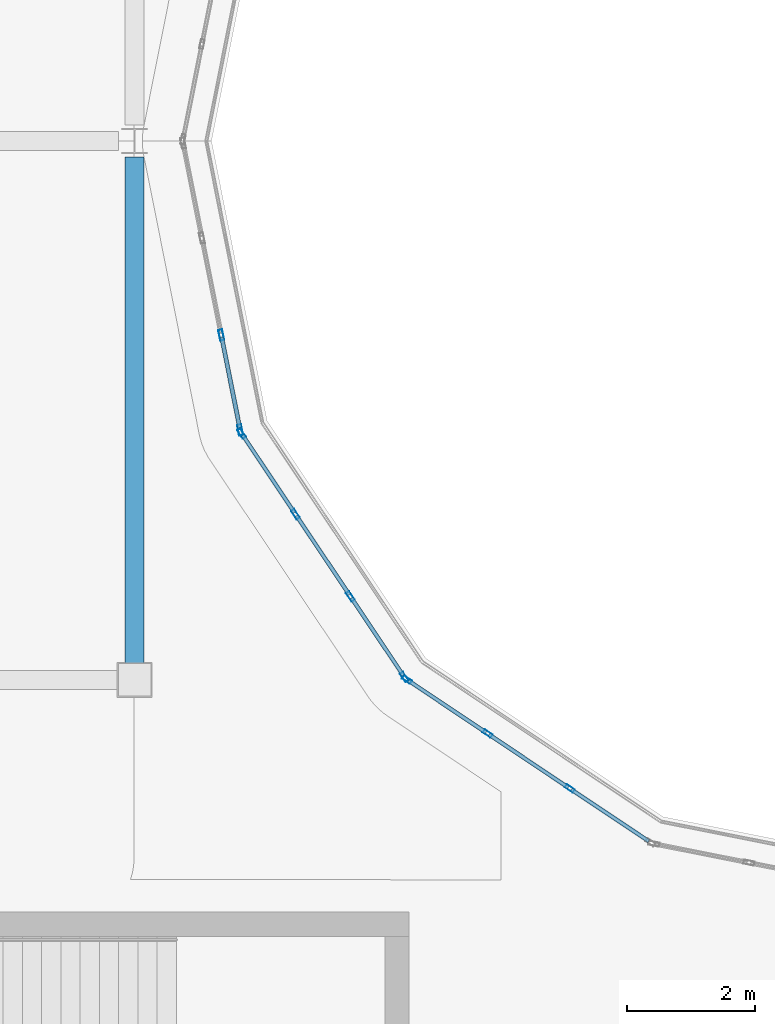
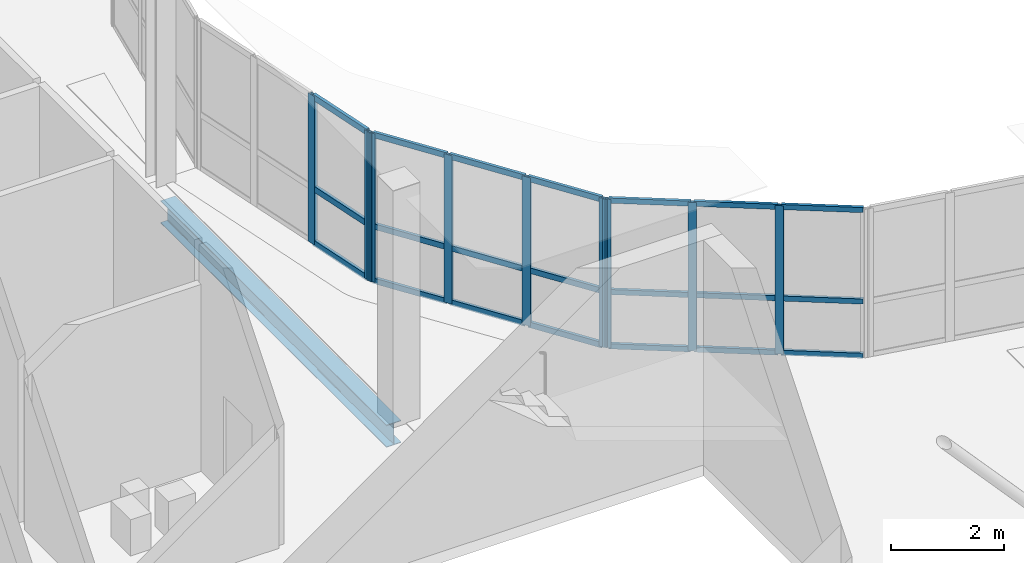
# One storey, part 15 of 103: 30 members, 1 beam, 3 elements without a shape of their own.
"""IFC4 building model written with IfcOpenShell, lengths in metres."""

from ifc_helpers import new_model, si_unit, direction, frame, origin, origin_2d, place, context, subcontext, project, spatial, hollow_rectangle, i_section, extrude, material, layer, layer_set, material_profile, profile_set, type_object, element, aggregate, save


model = new_model("IFC4")

# Units and contexts
model_context = context("Model", 3, precision=1e-05, world=origin(), true_north=direction((0.0, 1.0)))
body_context = subcontext(model_context, "Body", "Model", "MODEL_VIEW")
ifc_project = project(units=[si_unit("LENGTHUNIT", "METRE"), si_unit("AREAUNIT", "SQUARE_METRE"), si_unit("VOLUMEUNIT", "CUBIC_METRE"), si_unit("PLANEANGLEUNIT", "RADIAN"), si_unit("MASSUNIT", "GRAM", prefix="KILO"), si_unit("THERMODYNAMICTEMPERATUREUNIT", "KELVIN")], contexts=[model_context])

# Site, building, storey
site_placement = place(None, origin())
site = spatial("IfcSite", under=ifc_project, at=site_placement, CompositionType="ELEMENT")
building_placement = place(site_placement, origin())
building = spatial("IfcBuilding", under=site, at=building_placement, Name="Lustrewick Department Store", CompositionType="ELEMENT")
storey_placement = place(building_placement, frame((0.0, 0.0, 16.5)))
storey = spatial("IfcBuildingStorey", under=building, at=storey_placement, Name="L04", CompositionType="ELEMENT", Elevation=16.5)

# Curtain wall, members
ifc_material_1 = material(Name="Thermally broken aluminium 6063-T5", Category="aluminium")
ifc_layer_1 = layer(ifc_material_1, 0.169921875, Name="Thermally broken aluminium 6063-T5")
ifc_layer_set_1 = layer_set([ifc_layer_1], Name="Thermally broken aluminium 6063-T5")
curtain_wall_type_1 = type_object("IfcCurtainWallType", Name="CW16", PredefinedType="NOTDEFINED", material=ifc_layer_set_1)
curtain_wall_1_placement = place(storey_placement, origin())
curtain_wall_1 = element("IfcCurtainWall", 1, at=curtain_wall_1_placement, inside=storey, type_object=curtain_wall_type_1, Name="L04 Atrium Glazed Screen CW16", PredefinedType="NOTDEFINED")
ifc_material_profile_1 = material_profile(ifc_material_1, hollow_rectangle(XDim=0.06494140625, YDim=0.169921875, WallThickness=0.00390625, at=origin_2d()), Name="ALU-M 65x170x4")
ifc_profile_set_1 = profile_set([ifc_material_profile_1], Name="Thermally broken aluminium 6063-T5")
member_type_1 = type_object("IfcMemberType", Name="CW16-M1", PredefinedType="MULLION", material=ifc_profile_set_1)
member_1_placement = place(storey_placement, frame((18.1513671875, 64.1767578125, 0.0), z_axis=(0.0, 0.0, 1.0), x_axis=(0.980786430993, 0.195084537521, 0.0)))
member_1 = element("IfcMember", 2, at=member_1_placement, type_object=member_type_1, Name="CW16 mullion 3", PredefinedType="MULLION", context=body_context, shape_type="SweptSolid", body=[
    extrude(hollow_rectangle(XDim=0.06494140625, YDim=0.169921875, WallThickness=0.00390625, at=origin_2d()), origin(), (0.0, 0.0, 1.0), 3.199951171875),
])
member_2_placement = place(storey_placement, frame((18.445556640625, 62.697021484375, 0.0), z_axis=(0.0, 0.0, 1.0), x_axis=(0.980786430993, 0.195084537521, 0.0)))
member_2 = element("IfcMember", 3, at=member_2_placement, type_object=member_type_1, Name="CW16 mullion 4", PredefinedType="MULLION", context=body_context, shape_type="SweptSolid", body=[
    extrude(hollow_rectangle(XDim=0.06494140625, YDim=0.169921875, WallThickness=0.00390625, at=origin_2d()), origin(), (0.0, 0.0, 1.0), 3.199951171875),
])
ifc_material_profile_2 = material_profile(ifc_material_1, hollow_rectangle(XDim=0.06494140625, YDim=0.1298828125, WallThickness=0.00341796875, at=origin_2d()), Name="ALU-T 65x130x3.5")
ifc_profile_set_2 = profile_set([ifc_material_profile_2], Name="Thermally broken aluminium 6063-T5")
member_type_2 = type_object("IfcMemberType", Name="CW16-T1", PredefinedType="USERDEFINED", material=ifc_profile_set_2)
member_3_placement = place(storey_placement, frame((18.15771484375, 64.14501953125, 0.032470703125), z_axis=(0.19497779785, -0.980807656141, 0.0), x_axis=(0.980807656141, 0.19497779785, 0.0)))
member_3 = element("IfcMember", 4, at=member_3_placement, type_object=member_type_2, Name="CW16 transom 3.1", ObjectType="TRANSOM", PredefinedType="USERDEFINED", context=body_context, shape_type="SweptSolid", body=[
    extrude(hollow_rectangle(XDim=0.06494140625, YDim=0.1298828125, WallThickness=0.00341796875, at=origin_2d()), origin(), (0.0, 0.0, 1.0), 1.443603515625),
])
member_4_placement = place(storey_placement, frame((18.15771484375, 64.14501953125, 1.199951171875), z_axis=(0.19497779785, -0.980807656141, 0.0), x_axis=(0.980807656141, 0.19497779785, 0.0)))
member_4 = element("IfcMember", 5, at=member_4_placement, type_object=member_type_2, Name="CW16 transom 3.2", ObjectType="TRANSOM", PredefinedType="USERDEFINED", context=body_context, shape_type="SweptSolid", body=[
    extrude(hollow_rectangle(XDim=0.06494140625, YDim=0.1298828125, WallThickness=0.00341796875, at=origin_2d()), origin(), (0.0, 0.0, 1.0), 1.443603515625),
])
member_5_placement = place(storey_placement, frame((18.15771484375, 64.14501953125, 3.16748046875), z_axis=(0.19497779785, -0.980807656141, 0.0), x_axis=(0.980807656141, 0.19497779785, 0.0)))
member_5 = element("IfcMember", 6, at=member_5_placement, type_object=member_type_2, Name="CW16 transom 3.3", ObjectType="TRANSOM", PredefinedType="USERDEFINED", context=body_context, shape_type="SweptSolid", body=[
    extrude(hollow_rectangle(XDim=0.06494140625, YDim=0.1298828125, WallThickness=0.00341796875, at=origin_2d()), origin(), (0.0, 0.0, 1.0), 1.443603515625),
])
aggregate(curtain_wall_1, [member_1, member_2, member_3, member_4, member_5])

ifc_layer_2 = layer(ifc_material_1, 0.159912109375, Name="Thermally broken aluminium 6063-T5")
ifc_layer_set_2 = layer_set([ifc_layer_2], Name="Thermally broken aluminium 6063-T5")
curtain_wall_type_2 = type_object("IfcCurtainWallType", Name="CW17", PredefinedType="NOTDEFINED", material=ifc_layer_set_2)
curtain_wall_2_placement = place(storey_placement, origin())
curtain_wall_2 = element("IfcCurtainWall", 7, at=curtain_wall_2_placement, inside=storey, type_object=curtain_wall_type_2, Name="L04 Atrium Glazed Screen CW17", PredefinedType="NOTDEFINED")
ifc_material_profile_3 = material_profile(ifc_material_1, hollow_rectangle(XDim=0.06005859375, YDim=0.159912109375, WallThickness=0.00390625, at=origin_2d()), Name="ALU-M 60x160x4")
ifc_profile_set_3 = profile_set([ifc_material_profile_3], Name="Thermally broken aluminium 6063-T5")
member_type_3 = type_object("IfcMemberType", Name="CW17-M1", PredefinedType="MULLION", material=ifc_profile_set_3)
member_6_placement = place(storey_placement, frame((18.46875, 62.64013671875, 0.0), z_axis=(0.0, 0.0, 1.0), x_axis=(0.831464212799, 0.555578313862, 0.0)))
member_6 = element("IfcMember", 8, at=member_6_placement, type_object=member_type_3, Name="CW17 mullion 1", PredefinedType="MULLION", context=body_context, shape_type="SweptSolid", body=[
    extrude(hollow_rectangle(XDim=0.06005859375, YDim=0.159912109375, WallThickness=0.00390625, at=origin_2d()), origin(), (0.0, 0.0, 1.0), 3.199951171875),
])
member_7_placement = place(storey_placement, frame((19.308349609375, 61.3837890625, 0.0), z_axis=(0.0, 0.0, 1.0), x_axis=(0.831464212799, 0.555578313862, 0.0)))
member_7 = element("IfcMember", 9, at=member_7_placement, type_object=member_type_3, Name="CW17 mullion 2", PredefinedType="MULLION", context=body_context, shape_type="SweptSolid", body=[
    extrude(hollow_rectangle(XDim=0.06005859375, YDim=0.159912109375, WallThickness=0.00390625, at=origin_2d()), origin(), (0.0, 0.0, 1.0), 3.199951171875),
])
member_8_placement = place(storey_placement, frame((20.16455078125, 60.102294921875, 0.0), z_axis=(0.0, 0.0, 1.0), x_axis=(0.831464212799, 0.555578313862, 0.0)))
member_8 = element("IfcMember", 10, at=member_8_placement, type_object=member_type_3, Name="CW17 mullion 3", PredefinedType="MULLION", context=body_context, shape_type="SweptSolid", body=[
    extrude(hollow_rectangle(XDim=0.06005859375, YDim=0.159912109375, WallThickness=0.00390625, at=origin_2d()), origin(), (0.0, 0.0, 1.0), 3.199951171875),
])
member_9_placement = place(storey_placement, frame((21.004150390625, 58.845703125, 0.0), z_axis=(0.0, 0.0, 1.0), x_axis=(0.831464212799, 0.555578313862, 0.0)))
member_9 = element("IfcMember", 11, at=member_9_placement, type_object=member_type_3, Name="CW17 mullion 4", PredefinedType="MULLION", context=body_context, shape_type="SweptSolid", body=[
    extrude(hollow_rectangle(XDim=0.06005859375, YDim=0.159912109375, WallThickness=0.00390625, at=origin_2d()), origin(), (0.0, 0.0, 1.0), 3.199951171875),
])
ifc_material_profile_4 = material_profile(ifc_material_1, hollow_rectangle(XDim=0.06005859375, YDim=0.1201171875, WallThickness=0.00341796875, at=origin_2d()), Name="ALU-T 60x120x3.5")
ifc_profile_set_4 = profile_set([ifc_material_profile_4], Name="Thermally broken aluminium 6063-T5")
member_type_4 = type_object("IfcMemberType", Name="CW17-T1", PredefinedType="USERDEFINED", material=ifc_profile_set_4)
member_10_placement = place(storey_placement, frame((18.4853515625, 62.615234375, 0.030029296875), z_axis=(0.555554084832, -0.83148040195, 0.0), x_axis=(0.83148040195, 0.555554084832, 0.0)))
member_10 = element("IfcMember", 12, at=member_10_placement, type_object=member_type_4, Name="CW17 transom 1.1", ObjectType="TRANSOM", PredefinedType="USERDEFINED", context=body_context, shape_type="SweptSolid", body=[
    extrude(hollow_rectangle(XDim=0.06005859375, YDim=0.1201171875, WallThickness=0.00341796875, at=origin_2d()), origin(), (0.0, 0.0, 1.0), 1.451171875),
])
member_11_placement = place(storey_placement, frame((18.4853515625, 62.615234375, 1.199951171875), z_axis=(0.555554084832, -0.83148040195, 0.0), x_axis=(0.83148040195, 0.555554084832, 0.0)))
member_11 = element("IfcMember", 13, at=member_11_placement, type_object=member_type_4, Name="CW17 transom 1.2", ObjectType="TRANSOM", PredefinedType="USERDEFINED", context=body_context, shape_type="SweptSolid", body=[
    extrude(hollow_rectangle(XDim=0.06005859375, YDim=0.1201171875, WallThickness=0.00341796875, at=origin_2d()), origin(), (0.0, 0.0, 1.0), 1.451171875),
])
member_12_placement = place(storey_placement, frame((18.4853515625, 62.615234375, 3.169921875), z_axis=(0.555554084832, -0.83148040195, 0.0), x_axis=(0.83148040195, 0.555554084832, 0.0)))
member_12 = element("IfcMember", 14, at=member_12_placement, type_object=member_type_4, Name="CW17 transom 1.3", ObjectType="TRANSOM", PredefinedType="USERDEFINED", context=body_context, shape_type="SweptSolid", body=[
    extrude(hollow_rectangle(XDim=0.06005859375, YDim=0.1201171875, WallThickness=0.00341796875, at=origin_2d()), origin(), (0.0, 0.0, 1.0), 1.451171875),
])
member_13_placement = place(storey_placement, frame((19.324951171875, 61.35888671875, 0.030029296875), z_axis=(0.555574650661, -0.831466660512, 0.0), x_axis=(0.831466660512, 0.555574650661, 0.0)))
member_13 = element("IfcMember", 15, at=member_13_placement, type_object=member_type_4, Name="CW17 transom 2.1", ObjectType="TRANSOM", PredefinedType="USERDEFINED", context=body_context, shape_type="SweptSolid", body=[
    extrude(hollow_rectangle(XDim=0.06005859375, YDim=0.1201171875, WallThickness=0.00341796875, at=origin_2d()), origin(), (0.0, 0.0, 1.0), 1.4814453125),
])
member_14_placement = place(storey_placement, frame((19.324951171875, 61.35888671875, 1.199951171875), z_axis=(0.555574650661, -0.831466660512, 0.0), x_axis=(0.831466660512, 0.555574650661, 0.0)))
member_14 = element("IfcMember", 16, at=member_14_placement, type_object=member_type_4, Name="CW17 transom 2.2", ObjectType="TRANSOM", PredefinedType="USERDEFINED", context=body_context, shape_type="SweptSolid", body=[
    extrude(hollow_rectangle(XDim=0.06005859375, YDim=0.1201171875, WallThickness=0.00341796875, at=origin_2d()), origin(), (0.0, 0.0, 1.0), 1.4814453125),
])
member_15_placement = place(storey_placement, frame((19.324951171875, 61.35888671875, 3.169921875), z_axis=(0.555574650661, -0.831466660512, 0.0), x_axis=(0.831466660512, 0.555574650661, 0.0)))
member_15 = element("IfcMember", 17, at=member_15_placement, type_object=member_type_4, Name="CW17 transom 2.3", ObjectType="TRANSOM", PredefinedType="USERDEFINED", context=body_context, shape_type="SweptSolid", body=[
    extrude(hollow_rectangle(XDim=0.06005859375, YDim=0.1201171875, WallThickness=0.00341796875, at=origin_2d()), origin(), (0.0, 0.0, 1.0), 1.4814453125),
])
member_16_placement = place(storey_placement, frame((20.18115234375, 60.077392578125, 0.030029296875), z_axis=(0.55559267586, -0.831454616038, 0.0), x_axis=(0.831454616038, 0.55559267586, 0.0)))
member_16 = element("IfcMember", 18, at=member_16_placement, type_object=member_type_4, Name="CW17 transom 3.1", ObjectType="TRANSOM", PredefinedType="USERDEFINED", context=body_context, shape_type="SweptSolid", body=[
    extrude(hollow_rectangle(XDim=0.06005859375, YDim=0.1201171875, WallThickness=0.00341796875, at=origin_2d()), origin(), (0.0, 0.0, 1.0), 1.451416015625),
])
member_17_placement = place(storey_placement, frame((20.18115234375, 60.077392578125, 1.199951171875), z_axis=(0.55559267586, -0.831454616038, 0.0), x_axis=(0.831454616038, 0.55559267586, 0.0)))
member_17 = element("IfcMember", 19, at=member_17_placement, type_object=member_type_4, Name="CW17 transom 3.2", ObjectType="TRANSOM", PredefinedType="USERDEFINED", context=body_context, shape_type="SweptSolid", body=[
    extrude(hollow_rectangle(XDim=0.06005859375, YDim=0.1201171875, WallThickness=0.00341796875, at=origin_2d()), origin(), (0.0, 0.0, 1.0), 1.451416015625),
])
member_18_placement = place(storey_placement, frame((20.18115234375, 60.077392578125, 3.169921875), z_axis=(0.55559267586, -0.831454616038, 0.0), x_axis=(0.831454616038, 0.55559267586, 0.0)))
member_18 = element("IfcMember", 20, at=member_18_placement, type_object=member_type_4, Name="CW17 transom 3.3", ObjectType="TRANSOM", PredefinedType="USERDEFINED", context=body_context, shape_type="SweptSolid", body=[
    extrude(hollow_rectangle(XDim=0.06005859375, YDim=0.1201171875, WallThickness=0.00341796875, at=origin_2d()), origin(), (0.0, 0.0, 1.0), 1.451416015625),
])
aggregate(curtain_wall_2, [member_6, member_7, member_8, member_9, member_10, member_11, member_12, member_13, member_14, member_15, member_16, member_17, member_18])

ifc_layer_3 = layer(ifc_material_1, 0.14990234375, Name="Thermally broken aluminium 6063-T5")
ifc_layer_set_3 = layer_set([ifc_layer_3], Name="Thermally broken aluminium 6063-T5")
curtain_wall_type_3 = type_object("IfcCurtainWallType", Name="CW18", PredefinedType="NOTDEFINED", material=ifc_layer_set_3)
curtain_wall_3_placement = place(storey_placement, origin())
curtain_wall_3 = element("IfcCurtainWall", 21, at=curtain_wall_3_placement, inside=storey, type_object=curtain_wall_type_3, Name="L04 Atrium Glazed Screen CW18", PredefinedType="NOTDEFINED")
ifc_material_profile_5 = material_profile(ifc_material_1, hollow_rectangle(XDim=0.06005859375, YDim=0.14990234375, WallThickness=0.00341796875, at=origin_2d()), Name="ALU-M 60x150x3.5")
ifc_profile_set_5 = profile_set([ifc_material_profile_5], Name="Thermally broken aluminium 6063-T5")
member_type_5 = type_object("IfcMemberType", Name="CW18-M1", PredefinedType="MULLION", material=ifc_profile_set_5)
member_19_placement = place(storey_placement, frame((21.045654296875, 58.80419921875, 0.0), z_axis=(0.0, 0.0, 1.0), x_axis=(0.555578313862, 0.831464212799, 0.0)))
member_19 = element("IfcMember", 22, at=member_19_placement, type_object=member_type_5, Name="CW18 mullion 1", PredefinedType="MULLION", context=body_context, shape_type="SweptSolid", body=[
    extrude(hollow_rectangle(XDim=0.06005859375, YDim=0.14990234375, WallThickness=0.00341796875, at=origin_2d()), origin(), (0.0, 0.0, 1.0), 3.199951171875),
])
member_20_placement = place(storey_placement, frame((22.30224609375, 57.964599609375, 0.0), z_axis=(0.0, 0.0, 1.0), x_axis=(0.555578313862, 0.831464212799, 0.0)))
member_20 = element("IfcMember", 23, at=member_20_placement, type_object=member_type_5, Name="CW18 mullion 2", PredefinedType="MULLION", context=body_context, shape_type="SweptSolid", body=[
    extrude(hollow_rectangle(XDim=0.06005859375, YDim=0.14990234375, WallThickness=0.00341796875, at=origin_2d()), origin(), (0.0, 0.0, 1.0), 3.199951171875),
])
member_21_placement = place(storey_placement, frame((23.583740234375, 57.108154296875, 0.0), z_axis=(0.0, 0.0, 1.0), x_axis=(0.555578313862, 0.831464212799, 0.0)))
member_21 = element("IfcMember", 24, at=member_21_placement, type_object=member_type_5, Name="CW18 mullion 3", PredefinedType="MULLION", context=body_context, shape_type="SweptSolid", body=[
    extrude(hollow_rectangle(XDim=0.06005859375, YDim=0.14990234375, WallThickness=0.00341796875, at=origin_2d()), origin(), (0.0, 0.0, 1.0), 3.199951171875),
])
ifc_material_profile_6 = material_profile(ifc_material_1, hollow_rectangle(XDim=0.06005859375, YDim=0.110107421875, WallThickness=0.0029296875, at=origin_2d()), Name="ALU-T 60x110x3")
ifc_profile_set_6 = profile_set([ifc_material_profile_6], Name="Thermally broken aluminium 6063-T5")
member_type_6 = type_object("IfcMemberType", Name="CW18-T1", PredefinedType="USERDEFINED", material=ifc_profile_set_6)
member_22_placement = place(storey_placement, frame((21.07080078125, 58.787353515625, 0.030029296875), z_axis=(0.83148040195, -0.555554084832, 0.0), x_axis=(0.555554084832, 0.83148040195, 0.0)))
member_22 = element("IfcMember", 25, at=member_22_placement, type_object=member_type_6, Name="CW18 transom 1.1", ObjectType="TRANSOM", PredefinedType="USERDEFINED", context=body_context, shape_type="SweptSolid", body=[
    extrude(hollow_rectangle(XDim=0.06005859375, YDim=0.110107421875, WallThickness=0.0029296875, at=origin_2d()), origin(), (0.0, 0.0, 1.0), 1.451171875),
])
member_23_placement = place(storey_placement, frame((21.07080078125, 58.787353515625, 1.199951171875), z_axis=(0.83148040195, -0.555554084832, 0.0), x_axis=(0.555554084832, 0.83148040195, 0.0)))
member_23 = element("IfcMember", 26, at=member_23_placement, type_object=member_type_6, Name="CW18 transom 1.2", ObjectType="TRANSOM", PredefinedType="USERDEFINED", context=body_context, shape_type="SweptSolid", body=[
    extrude(hollow_rectangle(XDim=0.06005859375, YDim=0.110107421875, WallThickness=0.0029296875, at=origin_2d()), origin(), (0.0, 0.0, 1.0), 1.451171875),
])
member_24_placement = place(storey_placement, frame((21.07080078125, 58.787353515625, 3.169921875), z_axis=(0.83148040195, -0.555554084832, 0.0), x_axis=(0.555554084832, 0.83148040195, 0.0)))
member_24 = element("IfcMember", 27, at=member_24_placement, type_object=member_type_6, Name="CW18 transom 1.3", ObjectType="TRANSOM", PredefinedType="USERDEFINED", context=body_context, shape_type="SweptSolid", body=[
    extrude(hollow_rectangle(XDim=0.06005859375, YDim=0.110107421875, WallThickness=0.0029296875, at=origin_2d()), origin(), (0.0, 0.0, 1.0), 1.451171875),
])
member_25_placement = place(storey_placement, frame((22.3271484375, 57.94775390625, 0.030029296875), z_axis=(0.831542792322, -0.555460695763, 0.0), x_axis=(0.555460695763, 0.831542792322, 0.0)))
member_25 = element("IfcMember", 28, at=member_25_placement, type_object=member_type_6, Name="CW18 transom 2.1", ObjectType="TRANSOM", PredefinedType="USERDEFINED", context=body_context, shape_type="SweptSolid", body=[
    extrude(hollow_rectangle(XDim=0.06005859375, YDim=0.110107421875, WallThickness=0.0029296875, at=origin_2d()), origin(), (0.0, 0.0, 1.0), 1.481201171875),
])
member_26_placement = place(storey_placement, frame((22.3271484375, 57.94775390625, 1.199951171875), z_axis=(0.831542792322, -0.555460695763, 0.0), x_axis=(0.555460695763, 0.831542792322, 0.0)))
member_26 = element("IfcMember", 29, at=member_26_placement, type_object=member_type_6, Name="CW18 transom 2.2", ObjectType="TRANSOM", PredefinedType="USERDEFINED", context=body_context, shape_type="SweptSolid", body=[
    extrude(hollow_rectangle(XDim=0.06005859375, YDim=0.110107421875, WallThickness=0.0029296875, at=origin_2d()), origin(), (0.0, 0.0, 1.0), 1.481201171875),
])
member_27_placement = place(storey_placement, frame((22.3271484375, 57.94775390625, 3.169921875), z_axis=(0.831542792322, -0.555460695763, 0.0), x_axis=(0.555460695763, 0.831542792322, 0.0)))
member_27 = element("IfcMember", 30, at=member_27_placement, type_object=member_type_6, Name="CW18 transom 2.3", ObjectType="TRANSOM", PredefinedType="USERDEFINED", context=body_context, shape_type="SweptSolid", body=[
    extrude(hollow_rectangle(XDim=0.06005859375, YDim=0.110107421875, WallThickness=0.0029296875, at=origin_2d()), origin(), (0.0, 0.0, 1.0), 1.481201171875),
])
member_28_placement = place(storey_placement, frame((23.608642578125, 57.091552734375, 0.030029296875), z_axis=(0.831532319099, -0.555476374199, 0.0), x_axis=(0.555476374199, 0.831532319099, 0.0)))
member_28 = element("IfcMember", 31, at=member_28_placement, type_object=member_type_6, Name="CW18 transom 3.1", ObjectType="TRANSOM", PredefinedType="USERDEFINED", context=body_context, shape_type="SweptSolid", body=[
    extrude(hollow_rectangle(XDim=0.06005859375, YDim=0.110107421875, WallThickness=0.0029296875, at=origin_2d()), origin(), (0.0, 0.0, 1.0), 1.451171875),
])
member_29_placement = place(storey_placement, frame((23.608642578125, 57.091552734375, 1.199951171875), z_axis=(0.831532319099, -0.555476374199, 0.0), x_axis=(0.555476374199, 0.831532319099, 0.0)))
member_29 = element("IfcMember", 32, at=member_29_placement, type_object=member_type_6, Name="CW18 transom 3.2", ObjectType="TRANSOM", PredefinedType="USERDEFINED", context=body_context, shape_type="SweptSolid", body=[
    extrude(hollow_rectangle(XDim=0.06005859375, YDim=0.110107421875, WallThickness=0.0029296875, at=origin_2d()), origin(), (0.0, 0.0, 1.0), 1.451171875),
])
member_30_placement = place(storey_placement, frame((23.608642578125, 57.091552734375, 3.169921875), z_axis=(0.831532319099, -0.555476374199, 0.0), x_axis=(0.555476374199, 0.831532319099, 0.0)))
member_30 = element("IfcMember", 33, at=member_30_placement, type_object=member_type_6, Name="CW18 transom 3.3", ObjectType="TRANSOM", PredefinedType="USERDEFINED", context=body_context, shape_type="SweptSolid", body=[
    extrude(hollow_rectangle(XDim=0.06005859375, YDim=0.110107421875, WallThickness=0.0029296875, at=origin_2d()), origin(), (0.0, 0.0, 1.0), 1.451171875),
])
aggregate(curtain_wall_3, [member_19, member_20, member_21, member_22, member_23, member_24, member_25, member_26, member_27, member_28, member_29, member_30])

# Beam
ifc_material_2 = material(Name="Structural steel Q355B", Category="steel")
ifc_material_profile_7 = material_profile(ifc_material_2, i_section(OverallWidth=0.300048828125, OverallDepth=0.48193359375, WebThickness=0.010986328125, FlangeThickness=0.014892578125, FilletRadius=0.02197265625, at=origin_2d()), Name="HM 482x300x11x15")
ifc_profile_set_7 = profile_set([ifc_material_profile_7], Name="Structural steel Q355B")
beam_type = type_object("IfcBeamType", Name="G20", PredefinedType="BEAM", material=ifc_profile_set_7)
beam_placement = place(storey_placement, frame((16.800048828125, 58.97509765625, -0.49609375), z_axis=(0.0, 1.0, 0.0), x_axis=(-1.0, 0.0, 0.0)))
element("IfcBeam", 34, at=beam_placement, inside=storey, type_object=beam_type, Name="L04 V1 Girder G20", PredefinedType="BEAM", context=body_context, shape_type="SweptSolid", body=[
    extrude(i_section(OverallWidth=0.300048828125, OverallDepth=0.48193359375, WebThickness=0.010986328125, FlangeThickness=0.014892578125, FilletRadius=0.02197265625, at=origin_2d()), origin(), (0.0, 0.0, 1.0), 7.974853515625),
])

save(model, "model.ifc")
